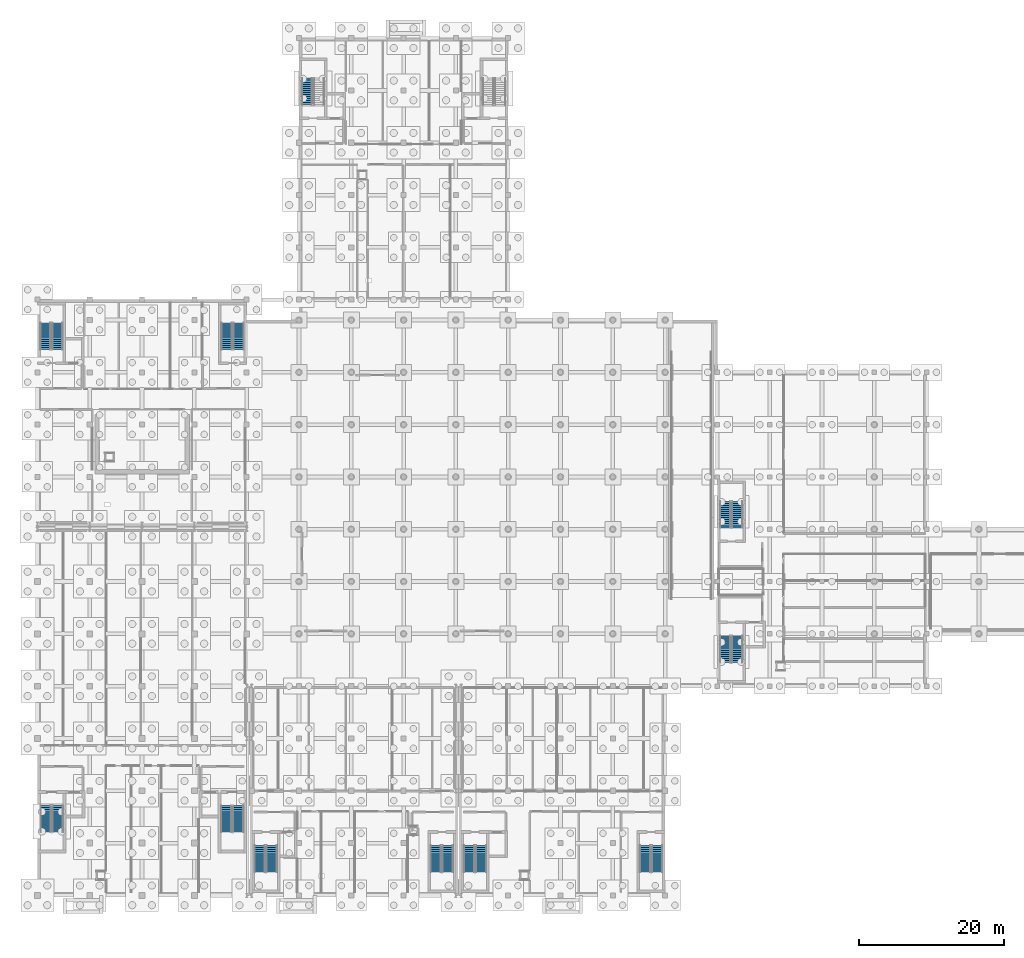
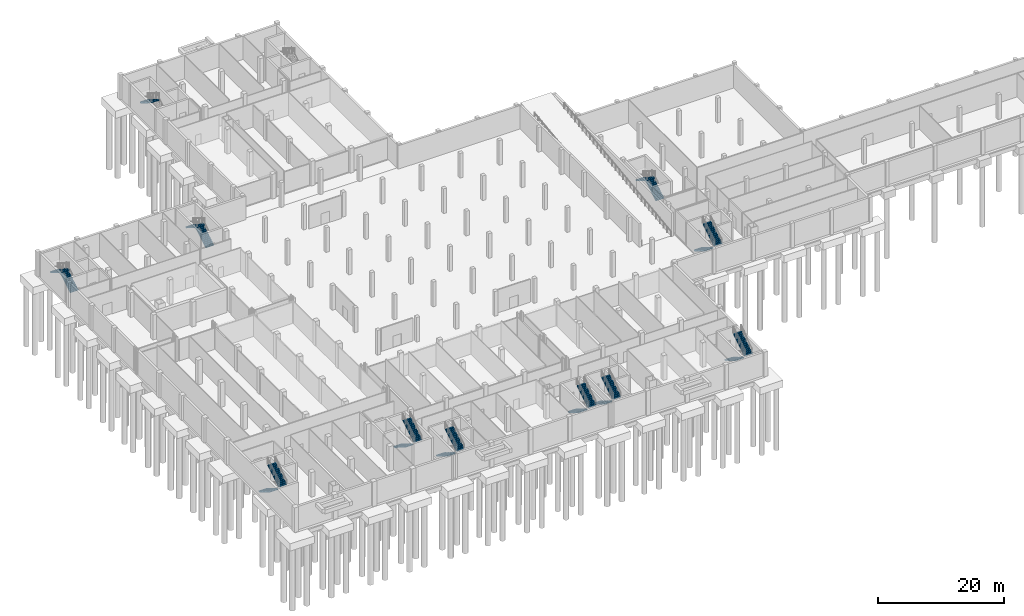
# One storey, part 25 of 35: 21 stair flights, 11 elements without a shape of their own.
"""IFC4 building model written with IfcOpenShell, lengths in metres."""

from ifc_helpers import new_model, si_unit, direction, frame, origin, place, context, subcontext, project, spatial, polyline, outline, extrude, material, type_object, element, aggregate, save


model = new_model("IFC4")

# Units and contexts
model_context = context("Model", 3, precision=1e-05, world=origin(), true_north=direction((0.0, 1.0)))
body_context = subcontext(model_context, "Body", "Model", "MODEL_VIEW")
ifc_project = project(units=[si_unit("LENGTHUNIT", "METRE"), si_unit("AREAUNIT", "SQUARE_METRE"), si_unit("VOLUMEUNIT", "CUBIC_METRE"), si_unit("PLANEANGLEUNIT", "RADIAN"), si_unit("MASSUNIT", "GRAM", prefix="KILO")], contexts=[model_context])

# Site, building, storey
site_placement = place(None, origin())
site = spatial("IfcSite", under=ifc_project, at=site_placement, CompositionType="ELEMENT")
building_placement = place(site_placement, origin())
building = spatial("IfcBuilding", under=site, at=building_placement, Name="Zarrinpeak Specialist Clinic", CompositionType="ELEMENT")
storey_placement = place(building_placement, frame((0.0, 0.0, -4.800048828125)))
storey = spatial("IfcBuildingStorey", under=building, at=storey_placement, Name="B01", CompositionType="ELEMENT", Elevation=-4.800048828125)

# Stair, stair flights
ifc_material = material(Name="Concrete C35/45", Category="concrete")
stair_type = type_object("IfcStairType", Name="ST-DOG", PredefinedType="HALF_TURN_STAIR", material=ifc_material)
stair_1_placement = place(storey_placement, origin())
stair_1 = element("IfcStair", 1, at=stair_1_placement, inside=storey, type_object=stair_type, Name="B01 Protected Exit Stair ST-01", PredefinedType="HALF_TURN_STAIR")
stair_flight_type = type_object("IfcStairFlightType", Name="STF-150", PredefinedType="STRAIGHT", material=ifc_material)
stair_flight_1_placement = place(storey_placement, frame((1.14990234375, 12.35009765625, 0.0), z_axis=(0.0, 0.0, 1.0), x_axis=(0.0, -1.0, 0.0)))
stair_flight_1 = element("IfcStairFlight", 2, at=stair_flight_1_placement, type_object=stair_flight_type, Name="ST-01 flight 1", NumberOfRisers=14, NumberOfTreads=13, PredefinedType="STRAIGHT", RiserHeight=0.171428571, TreadLength=0.28, context=body_context, shape_type="SweptSolid", body=[
    extrude(outline(polyline([(0.0, 0.0), (0.0, 0.17138671875), (0.280029296875, 0.17138671875), (0.280029296875, 0.3427734375), (0.56005859375, 0.3427734375), (0.56005859375, 0.514404296875), (0.840087890625, 0.514404296875), (0.840087890625, 0.685791015625), (1.1201171875, 0.685791015625), (1.1201171875, 0.857177734375), (1.39990234375, 0.857177734375), (1.39990234375, 1.028564453125), (1.679931640625, 1.028564453125), (1.679931640625, 1.199951171875), (1.9599609375, 1.199951171875), (1.9599609375, 1.371337890625), (2.239990234375, 1.371337890625), (2.239990234375, 1.54296875), (2.52001953125, 1.54296875), (2.52001953125, 1.71435546875), (2.800048828125, 1.71435546875), (2.800048828125, 1.8857421875), (3.080078125, 1.8857421875), (3.080078125, 2.05712890625), (3.360107421875, 2.05712890625), (3.360107421875, 2.228515625), (3.639892578125, 2.228515625), (3.639892578125, 2.39990234375), (3.639892578125, 2.052734375), (0.287109375, 0.0), (0.0, 0.0)])), frame((0.0, 0.75, 0.0), z_axis=(0.0, -1.0, 0.0), x_axis=(1.0, 0.0, 0.0)), (0.0, 0.0, 1.0), 1.5),
])
stair_flight_2_placement = place(storey_placement, frame((2.800048828125, 8.7099609375, 2.400146484375), z_axis=(0.0, 0.0, 1.0), x_axis=(0.0, 1.0, 0.0)))
stair_flight_2 = element("IfcStairFlight", 3, at=stair_flight_2_placement, type_object=stair_flight_type, Name="ST-01 flight 2", NumberOfRisers=14, NumberOfTreads=13, PredefinedType="STRAIGHT", RiserHeight=0.171428571, TreadLength=0.28, context=body_context, shape_type="SweptSolid", body=[
    extrude(outline(polyline([(0.0, 0.0), (0.0, 0.17138671875), (0.280029296875, 0.17138671875), (0.280029296875, 0.3427734375), (0.56005859375, 0.3427734375), (0.56005859375, 0.514404296875), (0.840087890625, 0.514404296875), (0.840087890625, 0.685791015625), (1.1201171875, 0.685791015625), (1.1201171875, 0.857177734375), (1.39990234375, 0.857177734375), (1.39990234375, 1.028564453125), (1.679931640625, 1.028564453125), (1.679931640625, 1.199951171875), (1.9599609375, 1.199951171875), (1.9599609375, 1.371337890625), (2.239990234375, 1.371337890625), (2.239990234375, 1.54296875), (2.52001953125, 1.54296875), (2.52001953125, 1.71435546875), (2.800048828125, 1.71435546875), (2.800048828125, 1.8857421875), (3.080078125, 1.8857421875), (3.080078125, 2.05712890625), (3.360107421875, 2.05712890625), (3.360107421875, 2.228515625), (3.639892578125, 2.228515625), (3.639892578125, 2.39990234375), (3.639892578125, 2.052734375), (0.287109375, 0.0), (0.0, 0.0)])), frame((0.0, 0.75, 0.0), z_axis=(0.0, -1.0, 0.0), x_axis=(1.0, 0.0, 0.0)), (0.0, 0.0, 1.0), 1.5),
])
aggregate(stair_1, [stair_flight_1, stair_flight_2])

stair_2_placement = place(storey_placement, origin())
stair_2 = element("IfcStair", 4, at=stair_2_placement, inside=storey, type_object=stair_type, Name="B01 Protected Exit Stair ST-02", PredefinedType="HALF_TURN_STAIR")
stair_flight_3_placement = place(storey_placement, frame((26.0, 12.35009765625, 0.0), z_axis=(0.0, 0.0, 1.0), x_axis=(0.0, -1.0, 0.0)))
stair_flight_3 = element("IfcStairFlight", 5, at=stair_flight_3_placement, type_object=stair_flight_type, Name="ST-02 flight 1", NumberOfRisers=14, NumberOfTreads=13, PredefinedType="STRAIGHT", RiserHeight=0.171428571, TreadLength=0.28, context=body_context, shape_type="SweptSolid", body=[
    extrude(outline(polyline([(0.0, 0.0), (0.0, 0.17138671875), (0.280029296875, 0.17138671875), (0.280029296875, 0.3427734375), (0.56005859375, 0.3427734375), (0.56005859375, 0.514404296875), (0.840087890625, 0.514404296875), (0.840087890625, 0.685791015625), (1.1201171875, 0.685791015625), (1.1201171875, 0.857177734375), (1.39990234375, 0.857177734375), (1.39990234375, 1.028564453125), (1.679931640625, 1.028564453125), (1.679931640625, 1.199951171875), (1.9599609375, 1.199951171875), (1.9599609375, 1.371337890625), (2.239990234375, 1.371337890625), (2.239990234375, 1.54296875), (2.52001953125, 1.54296875), (2.52001953125, 1.71435546875), (2.800048828125, 1.71435546875), (2.800048828125, 1.8857421875), (3.080078125, 1.8857421875), (3.080078125, 2.05712890625), (3.360107421875, 2.05712890625), (3.360107421875, 2.228515625), (3.639892578125, 2.228515625), (3.639892578125, 2.39990234375), (3.639892578125, 2.052734375), (0.287109375, 0.0), (0.0, 0.0)])), frame((0.0, 0.75, 0.0), z_axis=(0.0, -1.0, 0.0), x_axis=(1.0, 0.0, 0.0)), (0.0, 0.0, 1.0), 1.5),
])
stair_flight_4_placement = place(storey_placement, frame((27.64990234375, 8.7099609375, 2.400146484375), z_axis=(0.0, 0.0, 1.0), x_axis=(0.0, 1.0, 0.0)))
stair_flight_4 = element("IfcStairFlight", 6, at=stair_flight_4_placement, type_object=stair_flight_type, Name="ST-02 flight 2", NumberOfRisers=14, NumberOfTreads=13, PredefinedType="STRAIGHT", RiserHeight=0.171428571, TreadLength=0.28, context=body_context, shape_type="SweptSolid", body=[
    extrude(outline(polyline([(0.0, 0.0), (0.0, 0.17138671875), (0.280029296875, 0.17138671875), (0.280029296875, 0.3427734375), (0.56005859375, 0.3427734375), (0.56005859375, 0.514404296875), (0.840087890625, 0.514404296875), (0.840087890625, 0.685791015625), (1.1201171875, 0.685791015625), (1.1201171875, 0.857177734375), (1.39990234375, 0.857177734375), (1.39990234375, 1.028564453125), (1.679931640625, 1.028564453125), (1.679931640625, 1.199951171875), (1.9599609375, 1.199951171875), (1.9599609375, 1.371337890625), (2.239990234375, 1.371337890625), (2.239990234375, 1.54296875), (2.52001953125, 1.54296875), (2.52001953125, 1.71435546875), (2.800048828125, 1.71435546875), (2.800048828125, 1.8857421875), (3.080078125, 1.8857421875), (3.080078125, 2.05712890625), (3.360107421875, 2.05712890625), (3.360107421875, 2.228515625), (3.639892578125, 2.228515625), (3.639892578125, 2.39990234375), (3.639892578125, 2.052734375), (0.287109375, 0.0), (0.0, 0.0)])), frame((0.0, 0.75, 0.0), z_axis=(0.0, -1.0, 0.0), x_axis=(1.0, 0.0, 0.0)), (0.0, 0.0, 1.0), 1.5),
])
aggregate(stair_2, [stair_flight_3, stair_flight_4])

stair_3_placement = place(storey_placement, origin())
stair_3 = element("IfcStair", 7, at=stair_3_placement, inside=storey, type_object=stair_type, Name="B01 Protected Exit Stair ST-03", PredefinedType="HALF_TURN_STAIR")
stair_flight_5_placement = place(storey_placement, frame((30.6201171875, 6.85009765625, 0.0), z_axis=(0.0, 0.0, 1.0), x_axis=(0.0, -1.0, 0.0)))
stair_flight_5 = element("IfcStairFlight", 8, at=stair_flight_5_placement, type_object=stair_flight_type, Name="ST-03 flight 1", NumberOfRisers=14, NumberOfTreads=13, PredefinedType="STRAIGHT", RiserHeight=0.171428571, TreadLength=0.28, context=body_context, shape_type="SweptSolid", body=[
    extrude(outline(polyline([(0.0, 0.0), (0.0, 0.17138671875), (0.280029296875, 0.17138671875), (0.280029296875, 0.3427734375), (0.56005859375, 0.3427734375), (0.56005859375, 0.514404296875), (0.840087890625, 0.514404296875), (0.840087890625, 0.685791015625), (1.1201171875, 0.685791015625), (1.1201171875, 0.857177734375), (1.39990234375, 0.857177734375), (1.39990234375, 1.028564453125), (1.679931640625, 1.028564453125), (1.679931640625, 1.199951171875), (1.9599609375, 1.199951171875), (1.9599609375, 1.371337890625), (2.239990234375, 1.371337890625), (2.239990234375, 1.54296875), (2.52001953125, 1.54296875), (2.52001953125, 1.71435546875), (2.800048828125, 1.71435546875), (2.800048828125, 1.8857421875), (3.080078125, 1.8857421875), (3.080078125, 2.05712890625), (3.360107421875, 2.05712890625), (3.360107421875, 2.228515625), (3.639892578125, 2.228515625), (3.639892578125, 2.39990234375), (3.639892578125, 2.052734375), (0.287109375, 0.0), (0.0, 0.0)])), frame((0.0, 0.75, 0.0), z_axis=(0.0, -1.0, 0.0), x_axis=(1.0, 0.0, 0.0)), (0.0, 0.0, 1.0), 1.5),
])
stair_flight_6_placement = place(storey_placement, frame((32.27001953125, 3.2099609375, 2.400146484375), z_axis=(0.0, 0.0, 1.0), x_axis=(0.0, 1.0, 0.0)))
stair_flight_6 = element("IfcStairFlight", 9, at=stair_flight_6_placement, type_object=stair_flight_type, Name="ST-03 flight 2", NumberOfRisers=14, NumberOfTreads=13, PredefinedType="STRAIGHT", RiserHeight=0.171428571, TreadLength=0.28, context=body_context, shape_type="SweptSolid", body=[
    extrude(outline(polyline([(0.0, 0.0), (0.0, 0.17138671875), (0.280029296875, 0.17138671875), (0.280029296875, 0.3427734375), (0.56005859375, 0.3427734375), (0.56005859375, 0.514404296875), (0.840087890625, 0.514404296875), (0.840087890625, 0.685791015625), (1.1201171875, 0.685791015625), (1.1201171875, 0.857177734375), (1.39990234375, 0.857177734375), (1.39990234375, 1.028564453125), (1.679931640625, 1.028564453125), (1.679931640625, 1.199951171875), (1.9599609375, 1.199951171875), (1.9599609375, 1.371337890625), (2.239990234375, 1.371337890625), (2.239990234375, 1.54296875), (2.52001953125, 1.54296875), (2.52001953125, 1.71435546875), (2.800048828125, 1.71435546875), (2.800048828125, 1.8857421875), (3.080078125, 1.8857421875), (3.080078125, 2.05712890625), (3.360107421875, 2.05712890625), (3.360107421875, 2.228515625), (3.639892578125, 2.228515625), (3.639892578125, 2.39990234375), (3.639892578125, 2.052734375), (0.287109375, 0.0), (0.0, 0.0)])), frame((0.0, 0.75, 0.0), z_axis=(0.0, -1.0, 0.0), x_axis=(1.0, 0.0, 0.0)), (0.0, 0.0, 1.0), 1.5),
])
aggregate(stair_3, [stair_flight_5, stair_flight_6])

stair_4_placement = place(storey_placement, origin())
stair_4 = element("IfcStair", 10, at=stair_4_placement, inside=storey, type_object=stair_type, Name="B01 Protected Exit Stair ST-04", PredefinedType="HALF_TURN_STAIR")
stair_flight_7_placement = place(storey_placement, frame((54.85009765625, 6.85009765625, 0.0), z_axis=(0.0, 0.0, 1.0), x_axis=(0.0, -1.0, 0.0)))
stair_flight_7 = element("IfcStairFlight", 11, at=stair_flight_7_placement, type_object=stair_flight_type, Name="ST-04 flight 1", NumberOfRisers=14, NumberOfTreads=13, PredefinedType="STRAIGHT", RiserHeight=0.171428571, TreadLength=0.28, context=body_context, shape_type="SweptSolid", body=[
    extrude(outline(polyline([(0.0, 0.0), (0.0, 0.17138671875), (0.280029296875, 0.17138671875), (0.280029296875, 0.3427734375), (0.56005859375, 0.3427734375), (0.56005859375, 0.514404296875), (0.840087890625, 0.514404296875), (0.840087890625, 0.685791015625), (1.1201171875, 0.685791015625), (1.1201171875, 0.857177734375), (1.39990234375, 0.857177734375), (1.39990234375, 1.028564453125), (1.679931640625, 1.028564453125), (1.679931640625, 1.199951171875), (1.9599609375, 1.199951171875), (1.9599609375, 1.371337890625), (2.239990234375, 1.371337890625), (2.239990234375, 1.54296875), (2.52001953125, 1.54296875), (2.52001953125, 1.71435546875), (2.800048828125, 1.71435546875), (2.800048828125, 1.8857421875), (3.080078125, 1.8857421875), (3.080078125, 2.05712890625), (3.360107421875, 2.05712890625), (3.360107421875, 2.228515625), (3.639892578125, 2.228515625), (3.639892578125, 2.39990234375), (3.639892578125, 2.052734375), (0.287109375, 0.0), (0.0, 0.0)])), frame((0.0, 0.75, 0.0), z_axis=(0.0, -1.0, 0.0), x_axis=(1.0, 0.0, 0.0)), (0.0, 0.0, 1.0), 1.5),
])
stair_flight_8_placement = place(storey_placement, frame((56.5, 3.2099609375, 2.400146484375), z_axis=(0.0, 0.0, 1.0), x_axis=(0.0, 1.0, 0.0)))
stair_flight_8 = element("IfcStairFlight", 12, at=stair_flight_8_placement, type_object=stair_flight_type, Name="ST-04 flight 2", NumberOfRisers=14, NumberOfTreads=13, PredefinedType="STRAIGHT", RiserHeight=0.171428571, TreadLength=0.28, context=body_context, shape_type="SweptSolid", body=[
    extrude(outline(polyline([(0.0, 0.0), (0.0, 0.17138671875), (0.280029296875, 0.17138671875), (0.280029296875, 0.3427734375), (0.56005859375, 0.3427734375), (0.56005859375, 0.514404296875), (0.840087890625, 0.514404296875), (0.840087890625, 0.685791015625), (1.1201171875, 0.685791015625), (1.1201171875, 0.857177734375), (1.39990234375, 0.857177734375), (1.39990234375, 1.028564453125), (1.679931640625, 1.028564453125), (1.679931640625, 1.199951171875), (1.9599609375, 1.199951171875), (1.9599609375, 1.371337890625), (2.239990234375, 1.371337890625), (2.239990234375, 1.54296875), (2.52001953125, 1.54296875), (2.52001953125, 1.71435546875), (2.800048828125, 1.71435546875), (2.800048828125, 1.8857421875), (3.080078125, 1.8857421875), (3.080078125, 2.05712890625), (3.360107421875, 2.05712890625), (3.360107421875, 2.228515625), (3.639892578125, 2.228515625), (3.639892578125, 2.39990234375), (3.639892578125, 2.052734375), (0.287109375, 0.0), (0.0, 0.0)])), frame((0.0, 0.75, 0.0), z_axis=(0.0, -1.0, 0.0), x_axis=(1.0, 0.0, 0.0)), (0.0, 0.0, 1.0), 1.5),
])
aggregate(stair_4, [stair_flight_7, stair_flight_8])

stair_5_placement = place(storey_placement, origin())
stair_5 = element("IfcStair", 13, at=stair_5_placement, inside=storey, type_object=stair_type, Name="B01 Protected Exit Stair ST-05", PredefinedType="HALF_TURN_STAIR")
stair_flight_9_placement = place(storey_placement, frame((94.699951171875, 35.699951171875, 0.0), z_axis=(0.0, 0.0, 1.0), x_axis=(0.0, -1.0, 0.0)))
stair_flight_9 = element("IfcStairFlight", 14, at=stair_flight_9_placement, type_object=stair_flight_type, Name="ST-05 flight 1", NumberOfRisers=14, NumberOfTreads=13, PredefinedType="STRAIGHT", RiserHeight=0.171428571, TreadLength=0.28, context=body_context, shape_type="SweptSolid", body=[
    extrude(outline(polyline([(0.0, 0.0), (0.0, 0.17138671875), (0.280029296875, 0.17138671875), (0.280029296875, 0.3427734375), (0.56005859375, 0.3427734375), (0.56005859375, 0.514404296875), (0.840087890625, 0.514404296875), (0.840087890625, 0.685791015625), (1.1201171875, 0.685791015625), (1.1201171875, 0.857177734375), (1.39990234375, 0.857177734375), (1.39990234375, 1.028564453125), (1.679931640625, 1.028564453125), (1.679931640625, 1.199951171875), (1.9599609375, 1.199951171875), (1.9599609375, 1.371337890625), (2.239990234375, 1.371337890625), (2.239990234375, 1.54296875), (2.52001953125, 1.54296875), (2.52001953125, 1.71435546875), (2.800048828125, 1.71435546875), (2.800048828125, 1.8857421875), (3.080078125, 1.8857421875), (3.080078125, 2.05712890625), (3.360107421875, 2.05712890625), (3.360107421875, 2.228515625), (3.639892578125, 2.228515625), (3.639892578125, 2.39990234375), (3.639892578125, 2.052734375), (0.287109375, 0.0), (0.0, 0.0)])), frame((0.0, 0.75, 0.0), z_axis=(0.0, -1.0, 0.0), x_axis=(1.0, 0.0, 0.0)), (0.0, 0.0, 1.0), 1.5),
])
stair_flight_10_placement = place(storey_placement, frame((96.35009765625, 32.06005859375, 2.400146484375), z_axis=(0.0, 0.0, 1.0), x_axis=(0.0, 1.0, 0.0)))
stair_flight_10 = element("IfcStairFlight", 15, at=stair_flight_10_placement, type_object=stair_flight_type, Name="ST-05 flight 2", NumberOfRisers=14, NumberOfTreads=13, PredefinedType="STRAIGHT", RiserHeight=0.171428571, TreadLength=0.28, context=body_context, shape_type="SweptSolid", body=[
    extrude(outline(polyline([(0.0, 0.0), (0.0, 0.17138671875), (0.280029296875, 0.17138671875), (0.280029296875, 0.3427734375), (0.56005859375, 0.3427734375), (0.56005859375, 0.514404296875), (0.840087890625, 0.514404296875), (0.840087890625, 0.685791015625), (1.1201171875, 0.685791015625), (1.1201171875, 0.857177734375), (1.39990234375, 0.857177734375), (1.39990234375, 1.028564453125), (1.679931640625, 1.028564453125), (1.679931640625, 1.199951171875), (1.9599609375, 1.199951171875), (1.9599609375, 1.371337890625), (2.239990234375, 1.371337890625), (2.239990234375, 1.54296875), (2.52001953125, 1.54296875), (2.52001953125, 1.71435546875), (2.800048828125, 1.71435546875), (2.800048828125, 1.8857421875), (3.080078125, 1.8857421875), (3.080078125, 2.05712890625), (3.360107421875, 2.05712890625), (3.360107421875, 2.228515625), (3.639892578125, 2.228515625), (3.639892578125, 2.39990234375), (3.639892578125, 2.052734375), (0.287109375, 0.0), (0.0, 0.0)])), frame((0.0, 0.75, 0.0), z_axis=(0.0, -1.0, 0.0), x_axis=(1.0, 0.0, 0.0)), (0.0, 0.0, 1.0), 1.5),
])
aggregate(stair_5, [stair_flight_9, stair_flight_10])

stair_6_placement = place(storey_placement, origin())
stair_6 = element("IfcStair", 16, at=stair_6_placement, inside=storey, type_object=stair_type, Name="B01 Protected Exit Stair ST-06", PredefinedType="HALF_TURN_STAIR")
stair_flight_11_placement = place(storey_placement, frame((96.35009765625, 50.60009765625, 0.0), z_axis=(0.0, 0.0, 1.0), x_axis=(0.0, 1.0, 0.0)))
stair_flight_11 = element("IfcStairFlight", 17, at=stair_flight_11_placement, type_object=stair_flight_type, Name="ST-06 flight 1", NumberOfRisers=14, NumberOfTreads=13, PredefinedType="STRAIGHT", RiserHeight=0.171428571, TreadLength=0.28, context=body_context, shape_type="SweptSolid", body=[
    extrude(outline(polyline([(0.0, 0.0), (0.0, 0.17138671875), (0.280029296875, 0.17138671875), (0.280029296875, 0.3427734375), (0.56005859375, 0.3427734375), (0.56005859375, 0.514404296875), (0.840087890625, 0.514404296875), (0.840087890625, 0.685791015625), (1.1201171875, 0.685791015625), (1.1201171875, 0.857177734375), (1.39990234375, 0.857177734375), (1.39990234375, 1.028564453125), (1.679931640625, 1.028564453125), (1.679931640625, 1.199951171875), (1.9599609375, 1.199951171875), (1.9599609375, 1.371337890625), (2.239990234375, 1.371337890625), (2.239990234375, 1.54296875), (2.52001953125, 1.54296875), (2.52001953125, 1.71435546875), (2.800048828125, 1.71435546875), (2.800048828125, 1.8857421875), (3.080078125, 1.8857421875), (3.080078125, 2.05712890625), (3.360107421875, 2.05712890625), (3.360107421875, 2.228515625), (3.639892578125, 2.228515625), (3.639892578125, 2.39990234375), (3.639892578125, 2.052734375), (0.287109375, 0.0), (0.0, 0.0)])), frame((0.0, 0.75, 0.0), z_axis=(0.0, -1.0, 0.0), x_axis=(1.0, 0.0, 0.0)), (0.0, 0.0, 1.0), 1.5),
])
stair_flight_12_placement = place(storey_placement, frame((94.699951171875, 54.239990234375, 2.400146484375), z_axis=(0.0, 0.0, 1.0), x_axis=(0.0, -1.0, 0.0)))
stair_flight_12 = element("IfcStairFlight", 18, at=stair_flight_12_placement, type_object=stair_flight_type, Name="ST-06 flight 2", NumberOfRisers=14, NumberOfTreads=13, PredefinedType="STRAIGHT", RiserHeight=0.171428571, TreadLength=0.28, context=body_context, shape_type="SweptSolid", body=[
    extrude(outline(polyline([(0.0, 0.0), (0.0, 0.17138671875), (0.280029296875, 0.17138671875), (0.280029296875, 0.3427734375), (0.56005859375, 0.3427734375), (0.56005859375, 0.514404296875), (0.840087890625, 0.514404296875), (0.840087890625, 0.685791015625), (1.1201171875, 0.685791015625), (1.1201171875, 0.857177734375), (1.39990234375, 0.857177734375), (1.39990234375, 1.028564453125), (1.679931640625, 1.028564453125), (1.679931640625, 1.199951171875), (1.9599609375, 1.199951171875), (1.9599609375, 1.371337890625), (2.239990234375, 1.371337890625), (2.239990234375, 1.54296875), (2.52001953125, 1.54296875), (2.52001953125, 1.71435546875), (2.800048828125, 1.71435546875), (2.800048828125, 1.8857421875), (3.080078125, 1.8857421875), (3.080078125, 2.05712890625), (3.360107421875, 2.05712890625), (3.360107421875, 2.228515625), (3.639892578125, 2.228515625), (3.639892578125, 2.39990234375), (3.639892578125, 2.052734375), (0.287109375, 0.0), (0.0, 0.0)])), frame((0.0, 0.75, 0.0), z_axis=(0.0, -1.0, 0.0), x_axis=(1.0, 0.0, 0.0)), (0.0, 0.0, 1.0), 1.5),
])
aggregate(stair_6, [stair_flight_11, stair_flight_12])

stair_7_placement = place(storey_placement, origin())
stair_7 = element("IfcStair", 19, at=stair_7_placement, inside=storey, type_object=stair_type, Name="B01 Protected Exit Stair ST-07", PredefinedType="HALF_TURN_STAIR")
stair_flight_13_placement = place(storey_placement, frame((59.419921875, 6.85009765625, 0.0), z_axis=(0.0, 0.0, 1.0), x_axis=(0.0, -1.0, 0.0)))
stair_flight_13 = element("IfcStairFlight", 20, at=stair_flight_13_placement, type_object=stair_flight_type, Name="ST-07 flight 1", NumberOfRisers=14, NumberOfTreads=13, PredefinedType="STRAIGHT", RiserHeight=0.171428571, TreadLength=0.28, context=body_context, shape_type="SweptSolid", body=[
    extrude(outline(polyline([(0.0, 0.0), (0.0, 0.17138671875), (0.280029296875, 0.17138671875), (0.280029296875, 0.3427734375), (0.56005859375, 0.3427734375), (0.56005859375, 0.514404296875), (0.840087890625, 0.514404296875), (0.840087890625, 0.685791015625), (1.1201171875, 0.685791015625), (1.1201171875, 0.857177734375), (1.39990234375, 0.857177734375), (1.39990234375, 1.028564453125), (1.679931640625, 1.028564453125), (1.679931640625, 1.199951171875), (1.9599609375, 1.199951171875), (1.9599609375, 1.371337890625), (2.239990234375, 1.371337890625), (2.239990234375, 1.54296875), (2.52001953125, 1.54296875), (2.52001953125, 1.71435546875), (2.800048828125, 1.71435546875), (2.800048828125, 1.8857421875), (3.080078125, 1.8857421875), (3.080078125, 2.05712890625), (3.360107421875, 2.05712890625), (3.360107421875, 2.228515625), (3.639892578125, 2.228515625), (3.639892578125, 2.39990234375), (3.639892578125, 2.052734375), (0.287109375, 0.0), (0.0, 0.0)])), frame((0.0, 0.75, 0.0), z_axis=(0.0, -1.0, 0.0), x_axis=(1.0, 0.0, 0.0)), (0.0, 0.0, 1.0), 1.5),
])
stair_flight_14_placement = place(storey_placement, frame((61.070068359375, 3.2099609375, 2.400146484375), z_axis=(0.0, 0.0, 1.0), x_axis=(0.0, 1.0, 0.0)))
stair_flight_14 = element("IfcStairFlight", 21, at=stair_flight_14_placement, type_object=stair_flight_type, Name="ST-07 flight 2", NumberOfRisers=14, NumberOfTreads=13, PredefinedType="STRAIGHT", RiserHeight=0.171428571, TreadLength=0.28, context=body_context, shape_type="SweptSolid", body=[
    extrude(outline(polyline([(0.0, 0.0), (0.0, 0.17138671875), (0.280029296875, 0.17138671875), (0.280029296875, 0.3427734375), (0.56005859375, 0.3427734375), (0.56005859375, 0.514404296875), (0.840087890625, 0.514404296875), (0.840087890625, 0.685791015625), (1.1201171875, 0.685791015625), (1.1201171875, 0.857177734375), (1.39990234375, 0.857177734375), (1.39990234375, 1.028564453125), (1.679931640625, 1.028564453125), (1.679931640625, 1.199951171875), (1.9599609375, 1.199951171875), (1.9599609375, 1.371337890625), (2.239990234375, 1.371337890625), (2.239990234375, 1.54296875), (2.52001953125, 1.54296875), (2.52001953125, 1.71435546875), (2.800048828125, 1.71435546875), (2.800048828125, 1.8857421875), (3.080078125, 1.8857421875), (3.080078125, 2.05712890625), (3.360107421875, 2.05712890625), (3.360107421875, 2.228515625), (3.639892578125, 2.228515625), (3.639892578125, 2.39990234375), (3.639892578125, 2.052734375), (0.287109375, 0.0), (0.0, 0.0)])), frame((0.0, 0.75, 0.0), z_axis=(0.0, -1.0, 0.0), x_axis=(1.0, 0.0, 0.0)), (0.0, 0.0, 1.0), 1.5),
])
aggregate(stair_7, [stair_flight_13, stair_flight_14])

stair_8_placement = place(storey_placement, origin())
stair_8 = element("IfcStair", 22, at=stair_8_placement, inside=storey, type_object=stair_type, Name="B01 Protected Exit Stair ST-08", PredefinedType="HALF_TURN_STAIR")
stair_flight_15_placement = place(storey_placement, frame((83.64990234375, 6.85009765625, 0.0), z_axis=(0.0, 0.0, 1.0), x_axis=(0.0, -1.0, 0.0)))
stair_flight_15 = element("IfcStairFlight", 23, at=stair_flight_15_placement, type_object=stair_flight_type, Name="ST-08 flight 1", NumberOfRisers=14, NumberOfTreads=13, PredefinedType="STRAIGHT", RiserHeight=0.171428571, TreadLength=0.28, context=body_context, shape_type="SweptSolid", body=[
    extrude(outline(polyline([(0.0, 0.0), (0.0, 0.17138671875), (0.280029296875, 0.17138671875), (0.280029296875, 0.3427734375), (0.56005859375, 0.3427734375), (0.56005859375, 0.514404296875), (0.840087890625, 0.514404296875), (0.840087890625, 0.685791015625), (1.1201171875, 0.685791015625), (1.1201171875, 0.857177734375), (1.39990234375, 0.857177734375), (1.39990234375, 1.028564453125), (1.679931640625, 1.028564453125), (1.679931640625, 1.199951171875), (1.9599609375, 1.199951171875), (1.9599609375, 1.371337890625), (2.239990234375, 1.371337890625), (2.239990234375, 1.54296875), (2.52001953125, 1.54296875), (2.52001953125, 1.71435546875), (2.800048828125, 1.71435546875), (2.800048828125, 1.8857421875), (3.080078125, 1.8857421875), (3.080078125, 2.05712890625), (3.360107421875, 2.05712890625), (3.360107421875, 2.228515625), (3.639892578125, 2.228515625), (3.639892578125, 2.39990234375), (3.639892578125, 2.052734375), (0.287109375, 0.0), (0.0, 0.0)])), frame((0.0, 0.75, 0.0), z_axis=(0.0, -1.0, 0.0), x_axis=(1.0, 0.0, 0.0)), (0.0, 0.0, 1.0), 1.5),
])
stair_flight_16_placement = place(storey_placement, frame((85.300048828125, 3.2099609375, 2.400146484375), z_axis=(0.0, 0.0, 1.0), x_axis=(0.0, 1.0, 0.0)))
stair_flight_16 = element("IfcStairFlight", 24, at=stair_flight_16_placement, type_object=stair_flight_type, Name="ST-08 flight 2", NumberOfRisers=14, NumberOfTreads=13, PredefinedType="STRAIGHT", RiserHeight=0.171428571, TreadLength=0.28, context=body_context, shape_type="SweptSolid", body=[
    extrude(outline(polyline([(0.0, 0.0), (0.0, 0.17138671875), (0.280029296875, 0.17138671875), (0.280029296875, 0.3427734375), (0.56005859375, 0.3427734375), (0.56005859375, 0.514404296875), (0.840087890625, 0.514404296875), (0.840087890625, 0.685791015625), (1.1201171875, 0.685791015625), (1.1201171875, 0.857177734375), (1.39990234375, 0.857177734375), (1.39990234375, 1.028564453125), (1.679931640625, 1.028564453125), (1.679931640625, 1.199951171875), (1.9599609375, 1.199951171875), (1.9599609375, 1.371337890625), (2.239990234375, 1.371337890625), (2.239990234375, 1.54296875), (2.52001953125, 1.54296875), (2.52001953125, 1.71435546875), (2.800048828125, 1.71435546875), (2.800048828125, 1.8857421875), (3.080078125, 1.8857421875), (3.080078125, 2.05712890625), (3.360107421875, 2.05712890625), (3.360107421875, 2.228515625), (3.639892578125, 2.228515625), (3.639892578125, 2.39990234375), (3.639892578125, 2.052734375), (0.287109375, 0.0), (0.0, 0.0)])), frame((0.0, 0.75, 0.0), z_axis=(0.0, -1.0, 0.0), x_axis=(1.0, 0.0, 0.0)), (0.0, 0.0, 1.0), 1.5),
])
aggregate(stair_8, [stair_flight_15, stair_flight_16])

stair_9_placement = place(storey_placement, origin())
stair_9 = element("IfcStair", 25, at=stair_9_placement, inside=storey, type_object=stair_type, Name="B01 Protected Exit Stair ST-09", PredefinedType="HALF_TURN_STAIR")
stair_flight_17_placement = place(storey_placement, frame((2.75, 75.14990234375, 0.0), z_axis=(0.0, 0.0, 1.0), x_axis=(0.0, 1.0, 0.0)))
stair_flight_17 = element("IfcStairFlight", 26, at=stair_flight_17_placement, type_object=stair_flight_type, Name="ST-09 flight 1", NumberOfRisers=14, NumberOfTreads=13, PredefinedType="STRAIGHT", RiserHeight=0.171428571, TreadLength=0.28, context=body_context, shape_type="SweptSolid", body=[
    extrude(outline(polyline([(0.0, 0.0), (0.0, 0.17138671875), (0.280029296875, 0.17138671875), (0.280029296875, 0.3427734375), (0.56005859375, 0.3427734375), (0.56005859375, 0.514404296875), (0.840087890625, 0.514404296875), (0.840087890625, 0.685791015625), (1.1201171875, 0.685791015625), (1.1201171875, 0.857177734375), (1.39990234375, 0.857177734375), (1.39990234375, 1.028564453125), (1.679931640625, 1.028564453125), (1.679931640625, 1.199951171875), (1.9599609375, 1.199951171875), (1.9599609375, 1.371337890625), (2.239990234375, 1.371337890625), (2.239990234375, 1.54296875), (2.52001953125, 1.54296875), (2.52001953125, 1.71435546875), (2.800048828125, 1.71435546875), (2.800048828125, 1.8857421875), (3.080078125, 1.8857421875), (3.080078125, 2.05712890625), (3.360107421875, 2.05712890625), (3.360107421875, 2.228515625), (3.639892578125, 2.228515625), (3.639892578125, 2.39990234375), (3.639892578125, 2.052734375), (0.287109375, 0.0), (0.0, 0.0)])), frame((0.0, 0.75, 0.0), z_axis=(0.0, -1.0, 0.0), x_axis=(1.0, 0.0, 0.0)), (0.0, 0.0, 1.0), 1.5),
])
stair_flight_18_placement = place(storey_placement, frame((1.10009765625, 78.7900390625, 2.400146484375), z_axis=(0.0, 0.0, 1.0), x_axis=(0.0, -1.0, 0.0)))
stair_flight_18 = element("IfcStairFlight", 27, at=stair_flight_18_placement, type_object=stair_flight_type, Name="ST-09 flight 2", NumberOfRisers=14, NumberOfTreads=13, PredefinedType="STRAIGHT", RiserHeight=0.171428571, TreadLength=0.28, context=body_context, shape_type="SweptSolid", body=[
    extrude(outline(polyline([(0.0, 0.0), (0.0, 0.17138671875), (0.280029296875, 0.17138671875), (0.280029296875, 0.3427734375), (0.56005859375, 0.3427734375), (0.56005859375, 0.514404296875), (0.840087890625, 0.514404296875), (0.840087890625, 0.685791015625), (1.1201171875, 0.685791015625), (1.1201171875, 0.857177734375), (1.39990234375, 0.857177734375), (1.39990234375, 1.028564453125), (1.679931640625, 1.028564453125), (1.679931640625, 1.199951171875), (1.9599609375, 1.199951171875), (1.9599609375, 1.371337890625), (2.239990234375, 1.371337890625), (2.239990234375, 1.54296875), (2.52001953125, 1.54296875), (2.52001953125, 1.71435546875), (2.800048828125, 1.71435546875), (2.800048828125, 1.8857421875), (3.080078125, 1.8857421875), (3.080078125, 2.05712890625), (3.360107421875, 2.05712890625), (3.360107421875, 2.228515625), (3.639892578125, 2.228515625), (3.639892578125, 2.39990234375), (3.639892578125, 2.052734375), (0.287109375, 0.0), (0.0, 0.0)])), frame((0.0, 0.75, 0.0), z_axis=(0.0, -1.0, 0.0), x_axis=(1.0, 0.0, 0.0)), (0.0, 0.0, 1.0), 1.5),
])
aggregate(stair_9, [stair_flight_17, stair_flight_18])

stair_10_placement = place(storey_placement, origin())
stair_10 = element("IfcStair", 28, at=stair_10_placement, inside=storey, type_object=stair_type, Name="B01 Protected Exit Stair ST-10", PredefinedType="HALF_TURN_STAIR")
stair_flight_19_placement = place(storey_placement, frame((27.699951171875, 75.14990234375, 0.0), z_axis=(0.0, 0.0, 1.0), x_axis=(0.0, 1.0, 0.0)))
stair_flight_19 = element("IfcStairFlight", 29, at=stair_flight_19_placement, type_object=stair_flight_type, Name="ST-10 flight 1", NumberOfRisers=14, NumberOfTreads=13, PredefinedType="STRAIGHT", RiserHeight=0.171428571, TreadLength=0.28, context=body_context, shape_type="SweptSolid", body=[
    extrude(outline(polyline([(0.0, 0.0), (0.0, 0.17138671875), (0.280029296875, 0.17138671875), (0.280029296875, 0.3427734375), (0.56005859375, 0.3427734375), (0.56005859375, 0.514404296875), (0.840087890625, 0.514404296875), (0.840087890625, 0.685791015625), (1.1201171875, 0.685791015625), (1.1201171875, 0.857177734375), (1.39990234375, 0.857177734375), (1.39990234375, 1.028564453125), (1.679931640625, 1.028564453125), (1.679931640625, 1.199951171875), (1.9599609375, 1.199951171875), (1.9599609375, 1.371337890625), (2.239990234375, 1.371337890625), (2.239990234375, 1.54296875), (2.52001953125, 1.54296875), (2.52001953125, 1.71435546875), (2.800048828125, 1.71435546875), (2.800048828125, 1.8857421875), (3.080078125, 1.8857421875), (3.080078125, 2.05712890625), (3.360107421875, 2.05712890625), (3.360107421875, 2.228515625), (3.639892578125, 2.228515625), (3.639892578125, 2.39990234375), (3.639892578125, 2.052734375), (0.287109375, 0.0), (0.0, 0.0)])), frame((0.0, 0.75, 0.0), z_axis=(0.0, -1.0, 0.0), x_axis=(1.0, 0.0, 0.0)), (0.0, 0.0, 1.0), 1.5),
])
stair_flight_20_placement = place(storey_placement, frame((26.050048828125, 78.7900390625, 2.400146484375), z_axis=(0.0, 0.0, 1.0), x_axis=(0.0, -1.0, 0.0)))
stair_flight_20 = element("IfcStairFlight", 30, at=stair_flight_20_placement, type_object=stair_flight_type, Name="ST-10 flight 2", NumberOfRisers=14, NumberOfTreads=13, PredefinedType="STRAIGHT", RiserHeight=0.171428571, TreadLength=0.28, context=body_context, shape_type="SweptSolid", body=[
    extrude(outline(polyline([(0.0, 0.0), (0.0, 0.17138671875), (0.280029296875, 0.17138671875), (0.280029296875, 0.3427734375), (0.56005859375, 0.3427734375), (0.56005859375, 0.514404296875), (0.840087890625, 0.514404296875), (0.840087890625, 0.685791015625), (1.1201171875, 0.685791015625), (1.1201171875, 0.857177734375), (1.39990234375, 0.857177734375), (1.39990234375, 1.028564453125), (1.679931640625, 1.028564453125), (1.679931640625, 1.199951171875), (1.9599609375, 1.199951171875), (1.9599609375, 1.371337890625), (2.239990234375, 1.371337890625), (2.239990234375, 1.54296875), (2.52001953125, 1.54296875), (2.52001953125, 1.71435546875), (2.800048828125, 1.71435546875), (2.800048828125, 1.8857421875), (3.080078125, 1.8857421875), (3.080078125, 2.05712890625), (3.360107421875, 2.05712890625), (3.360107421875, 2.228515625), (3.639892578125, 2.228515625), (3.639892578125, 2.39990234375), (3.639892578125, 2.052734375), (0.287109375, 0.0), (0.0, 0.0)])), frame((0.0, 0.75, 0.0), z_axis=(0.0, -1.0, 0.0), x_axis=(1.0, 0.0, 0.0)), (0.0, 0.0, 1.0), 1.5),
])
aggregate(stair_10, [stair_flight_19, stair_flight_20])

# Stair, stair flight
stair_11_placement = place(storey_placement, origin())
stair_11 = element("IfcStair", 31, at=stair_11_placement, inside=storey, type_object=stair_type, Name="B01 Protected Exit Stair ST-11", PredefinedType="HALF_TURN_STAIR")
stair_flight_21_placement = place(storey_placement, frame((37.10009765625, 112.489990234375, 2.400146484375), z_axis=(0.0, 0.0, 1.0), x_axis=(0.0, -1.0, 0.0)))
stair_flight_21 = element("IfcStairFlight", 32, at=stair_flight_21_placement, type_object=stair_flight_type, Name="ST-11 flight 2", NumberOfRisers=14, NumberOfTreads=13, PredefinedType="STRAIGHT", RiserHeight=0.171428571, TreadLength=0.28, context=body_context, shape_type="SweptSolid", body=[
    extrude(outline(polyline([(0.0, 0.0), (0.0, 0.17138671875), (0.280029296875, 0.17138671875), (0.280029296875, 0.3427734375), (0.56005859375, 0.3427734375), (0.56005859375, 0.514404296875), (0.840087890625, 0.514404296875), (0.840087890625, 0.685791015625), (1.1201171875, 0.685791015625), (1.1201171875, 0.857177734375), (1.39990234375, 0.857177734375), (1.39990234375, 1.028564453125), (1.679931640625, 1.028564453125), (1.679931640625, 1.199951171875), (1.9599609375, 1.199951171875), (1.9599609375, 1.371337890625), (2.239990234375, 1.371337890625), (2.239990234375, 1.54296875), (2.52001953125, 1.54296875), (2.52001953125, 1.71435546875), (2.800048828125, 1.71435546875), (2.800048828125, 1.8857421875), (3.080078125, 1.8857421875), (3.080078125, 2.05712890625), (3.360107421875, 2.05712890625), (3.360107421875, 2.228515625), (3.639892578125, 2.228515625), (3.639892578125, 2.39990234375), (3.639892578125, 2.052734375), (0.287109375, 0.0), (0.0, 0.0)])), frame((0.0, 0.75, 0.0), z_axis=(0.0, -1.0, 0.0), x_axis=(1.0, 0.0, 0.0)), (0.0, 0.0, 1.0), 1.5),
])
aggregate(stair_11, [stair_flight_21])

save(model, "model.ifc")
